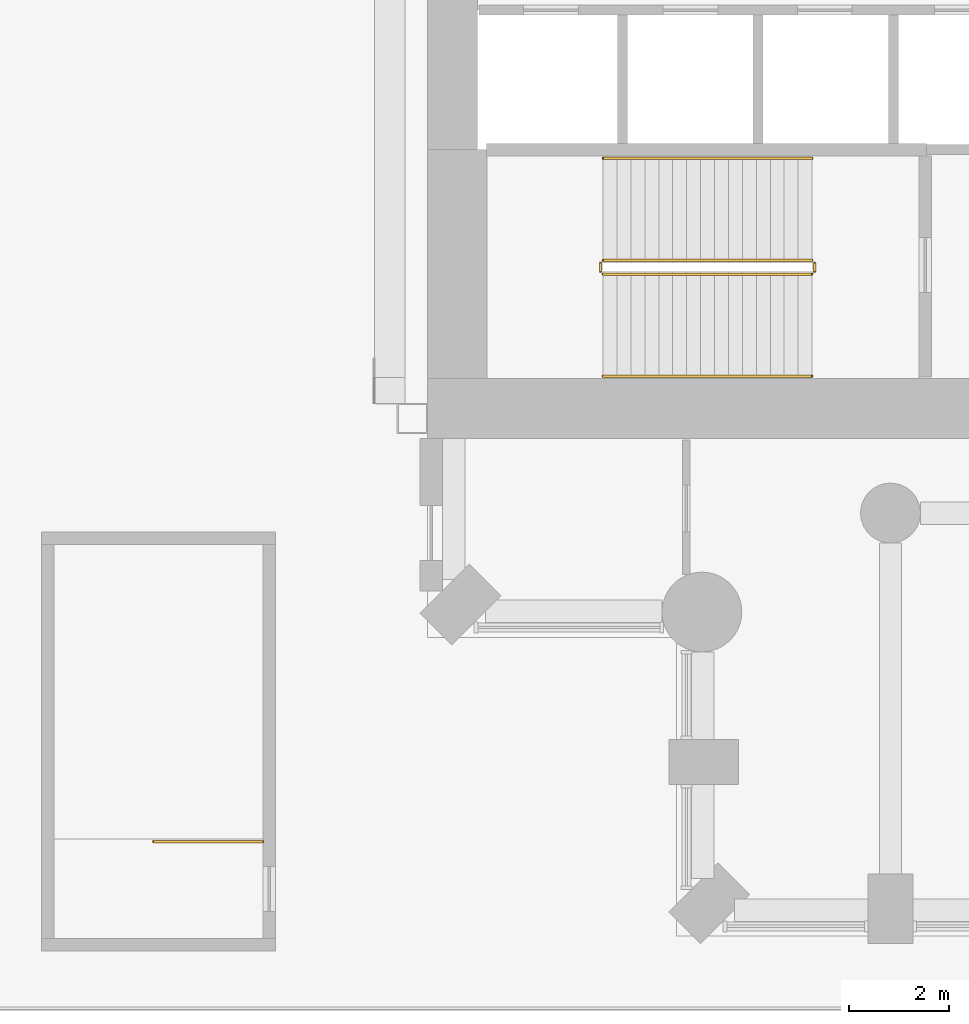
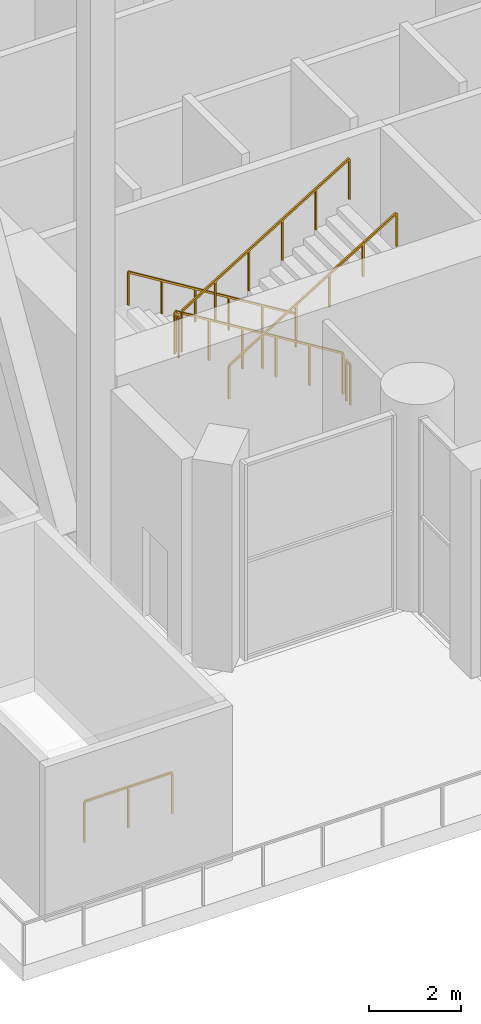
# One storey, part 21 of 26: 7 railings.
"""IFC4 building model written with IfcOpenShell, lengths in metres."""

from ifc_helpers import new_model, si_unit, direction, frame, origin, origin_2d, place, context, subcontext, project, spatial, rectangle, extrude, material, type_object, element, save


model = new_model("IFC4")

# Units and contexts
model_context = context("Model", 3, precision=1e-05, world=origin(), true_north=direction((0.0, 1.0)))
body_context = subcontext(model_context, "Body", "Model", "MODEL_VIEW")
ifc_project = project(units=[si_unit("LENGTHUNIT", "METRE"), si_unit("AREAUNIT", "SQUARE_METRE"), si_unit("VOLUMEUNIT", "CUBIC_METRE"), si_unit("PLANEANGLEUNIT", "RADIAN"), si_unit("MASSUNIT", "GRAM", prefix="KILO")], contexts=[model_context])

# Site, building, storey
site_placement = place(None, origin())
site = spatial("IfcSite", under=ifc_project, at=site_placement, CompositionType="ELEMENT")
building_placement = place(site_placement, origin())
building = spatial("IfcBuilding", under=site, at=building_placement, Name="Cypress Arch Tower", CompositionType="ELEMENT")
storey_placement = place(building_placement, frame((0.0, 0.0, 50.0)))
storey = spatial("IfcBuildingStorey", under=building, at=storey_placement, Name="L06", CompositionType="ELEMENT", Elevation=50.0)

# Railings
ifc_material_1 = material(Name="Black powder-coated steel square bar 48 mm", Category="steel")
railing_type_1 = type_object("IfcRailingType", Name="Stair handrail HR1", PredefinedType="HANDRAIL", material=ifc_material_1)
railing_1_placement = place(storey_placement, frame((-22.27490234375, -10.375, 0.171875)))
element("IfcRailing", 1, at=railing_1_placement, inside=storey, type_object=railing_type_1, Name="L06 A stair handrail 1", PredefinedType="HANDRAIL", context=body_context, shape_type="SweptSolid", body=[
    extrude(rectangle(XDim=0.048095703125, YDim=0.048095703125, at=origin_2d()), frame((0.0, 0.0, 0.8759765625), z_axis=(-0.852256472501, 0.0, 0.523124177495), x_axis=(0.0, -1.0, 0.0)), (0.0, 0.0, 1.0), 4.92822265625),
    extrude(rectangle(XDim=0.0419921875, YDim=0.0419921875, at=origin_2d()), origin(), (0.0, 0.0, 1.0), 0.851806640625),
    extrude(rectangle(XDim=0.0419921875, YDim=0.0419921875, at=origin_2d()), frame((-0.840087890625, 0.0, 0.515625)), (0.0, 0.0, 1.0), 0.851806640625),
    extrude(rectangle(XDim=0.0419921875, YDim=0.0419921875, at=origin_2d()), frame((-1.68017578125, 0.0, 1.03125)), (0.0, 0.0, 1.0), 0.851806640625),
    extrude(rectangle(XDim=0.0419921875, YDim=0.0419921875, at=origin_2d()), frame((-2.52001953125, 0.0, 1.546875)), (0.0, 0.0, 1.0), 0.851806640625),
    extrude(rectangle(XDim=0.0419921875, YDim=0.0419921875, at=origin_2d()), frame((-3.360107421875, 0.0, 2.0625)), (0.0, 0.0, 1.0), 0.851806640625),
    extrude(rectangle(XDim=0.0419921875, YDim=0.0419921875, at=origin_2d()), frame((-4.2001953125, 0.0, 2.578125)), (0.0, 0.0, 1.0), 0.851806640625),
])
railing_2_placement = place(storey_placement, frame((-26.47509765625, -14.75, 2.921875)))
element("IfcRailing", 2, at=railing_2_placement, inside=storey, type_object=railing_type_1, Name="L06 A stair handrail 2", PredefinedType="HANDRAIL", context=body_context, shape_type="SweptSolid", body=[
    extrude(rectangle(XDim=0.048095703125, YDim=0.048095703125, at=origin_2d()), frame((0.0, 0.0, 0.8759765625), z_axis=(0.852256472501, 0.0, 0.523124177495), x_axis=(0.0, 1.0, 0.0)), (0.0, 0.0, 1.0), 4.92822265625),
    extrude(rectangle(XDim=0.0419921875, YDim=0.0419921875, at=origin_2d()), origin(), (0.0, 0.0, 1.0), 0.851806640625),
    extrude(rectangle(XDim=0.0419921875, YDim=0.0419921875, at=origin_2d()), frame((0.840087890625, 0.0, 0.515625)), (0.0, 0.0, 1.0), 0.851806640625),
    extrude(rectangle(XDim=0.0419921875, YDim=0.0419921875, at=origin_2d()), frame((1.68017578125, 0.0, 1.03125)), (0.0, 0.0, 1.0), 0.851806640625),
    extrude(rectangle(XDim=0.0419921875, YDim=0.0419921875, at=origin_2d()), frame((2.52001953125, 0.0, 1.546875)), (0.0, 0.0, 1.0), 0.851806640625),
    extrude(rectangle(XDim=0.0419921875, YDim=0.0419921875, at=origin_2d()), frame((3.360107421875, 0.0, 2.0625)), (0.0, 0.0, 1.0), 0.851806640625),
    extrude(rectangle(XDim=0.0419921875, YDim=0.0419921875, at=origin_2d()), frame((4.2001953125, 0.0, 2.578125)), (0.0, 0.0, 1.0), 0.851806640625),
])
ifc_material_2 = material(Name="Black powder-coated steel balusters", Category="steel")
railing_type_2 = type_object("IfcRailingType", Name="Stair well guard G1", PredefinedType="GUARDRAIL", material=ifc_material_2)
railing_3_placement = place(storey_placement, frame((-22.27490234375, -12.425048828125, 0.171875)))
element("IfcRailing", 3, at=railing_3_placement, inside=storey, type_object=railing_type_2, Name="L06 A stair guard 1", PredefinedType="GUARDRAIL", context=body_context, shape_type="SweptSolid", body=[
    extrude(rectangle(XDim=0.048095703125, YDim=0.048095703125, at=origin_2d()), frame((0.0, 0.0, 1.076171875), z_axis=(-0.852256472501, 0.0, 0.523124177495), x_axis=(0.0, -1.0, 0.0)), (0.0, 0.0, 1.0), 4.92822265625),
    extrude(rectangle(XDim=0.0419921875, YDim=0.0419921875, at=origin_2d()), origin(), (0.0, 0.0, 1.0), 1.052001953125),
    extrude(rectangle(XDim=0.0419921875, YDim=0.0419921875, at=origin_2d()), frame((-0.840087890625, 0.0, 0.515625)), (0.0, 0.0, 1.0), 1.052001953125),
    extrude(rectangle(XDim=0.0419921875, YDim=0.0419921875, at=origin_2d()), frame((-1.68017578125, 0.0, 1.03125)), (0.0, 0.0, 1.0), 1.052001953125),
    extrude(rectangle(XDim=0.0419921875, YDim=0.0419921875, at=origin_2d()), frame((-2.52001953125, 0.0, 1.546875)), (0.0, 0.0, 1.0), 1.052001953125),
    extrude(rectangle(XDim=0.0419921875, YDim=0.0419921875, at=origin_2d()), frame((-3.360107421875, 0.0, 2.0625)), (0.0, 0.0, 1.0), 1.052001953125),
    extrude(rectangle(XDim=0.0419921875, YDim=0.0419921875, at=origin_2d()), frame((-4.2001953125, 0.0, 2.578125)), (0.0, 0.0, 1.0), 1.052001953125),
])
railing_4_placement = place(storey_placement, frame((-26.52490234375, -12.47509765625, 2.75)))
element("IfcRailing", 4, at=railing_4_placement, inside=storey, type_object=railing_type_2, Name="L06 A stair guard 2", PredefinedType="GUARDRAIL", context=body_context, shape_type="SweptSolid", body=[
    extrude(rectangle(XDim=0.048095703125, YDim=0.048095703125, at=origin_2d()), frame((0.0, 0.0, 1.076171875), z_axis=(0.0, -1.0, 0.0), x_axis=(1.0, 0.0, 0.0)), (0.0, 0.0, 1.0), 0.1748046875),
    extrude(rectangle(XDim=0.0419921875, YDim=0.0419921875, at=origin_2d()), origin(), (0.0, 0.0, 1.0), 1.052001953125),
    extrude(rectangle(XDim=0.0419921875, YDim=0.0419921875, at=origin_2d()), frame((0.0, -0.1748046875, 0.0)), (0.0, 0.0, 1.0), 1.052001953125),
])
railing_5_placement = place(storey_placement, frame((-26.47509765625, -12.699951171875, 2.921875)))
element("IfcRailing", 5, at=railing_5_placement, inside=storey, type_object=railing_type_2, Name="L06 A stair guard 3", PredefinedType="GUARDRAIL", context=body_context, shape_type="SweptSolid", body=[
    extrude(rectangle(XDim=0.048095703125, YDim=0.048095703125, at=origin_2d()), frame((0.0, 0.0, 1.076171875), z_axis=(0.852256472501, 0.0, 0.523124177495), x_axis=(0.0, 1.0, 0.0)), (0.0, 0.0, 1.0), 4.92822265625),
    extrude(rectangle(XDim=0.0419921875, YDim=0.0419921875, at=origin_2d()), origin(), (0.0, 0.0, 1.0), 1.052001953125),
    extrude(rectangle(XDim=0.0419921875, YDim=0.0419921875, at=origin_2d()), frame((0.840087890625, 0.0, 0.515625)), (0.0, 0.0, 1.0), 1.052001953125),
    extrude(rectangle(XDim=0.0419921875, YDim=0.0419921875, at=origin_2d()), frame((1.68017578125, 0.0, 1.03125)), (0.0, 0.0, 1.0), 1.052001953125),
    extrude(rectangle(XDim=0.0419921875, YDim=0.0419921875, at=origin_2d()), frame((2.52001953125, 0.0, 1.546875)), (0.0, 0.0, 1.0), 1.052001953125),
    extrude(rectangle(XDim=0.0419921875, YDim=0.0419921875, at=origin_2d()), frame((3.360107421875, 0.0, 2.0625)), (0.0, 0.0, 1.0), 1.052001953125),
    extrude(rectangle(XDim=0.0419921875, YDim=0.0419921875, at=origin_2d()), frame((4.2001953125, 0.0, 2.578125)), (0.0, 0.0, 1.0), 1.052001953125),
])
railing_6_placement = place(storey_placement, frame((-22.22509765625, -12.47509765625, 0.0)))
element("IfcRailing", 6, at=railing_6_placement, inside=storey, type_object=railing_type_2, Name="L06 A stair guard 4", PredefinedType="GUARDRAIL", context=body_context, shape_type="SweptSolid", body=[
    extrude(rectangle(XDim=0.048095703125, YDim=0.048095703125, at=origin_2d()), frame((0.0, 0.0, 1.076171875), z_axis=(0.0, -1.0, 0.0), x_axis=(1.0, 0.0, 0.0)), (0.0, 0.0, 1.0), 0.1748046875),
    extrude(rectangle(XDim=0.0419921875, YDim=0.0419921875, at=origin_2d()), origin(), (0.0, 0.0, 1.0), 1.052001953125),
    extrude(rectangle(XDim=0.0419921875, YDim=0.0419921875, at=origin_2d()), frame((0.0, -0.1748046875, 0.0)), (0.0, 0.0, 1.0), 1.052001953125),
])
railing_7_placement = place(storey_placement, frame((-33.300048828125, -24.10009765625, 0.0)))
element("IfcRailing", 7, at=railing_7_placement, inside=storey, type_object=railing_type_2, Name="L06 P1 top well guard 1", PredefinedType="GUARDRAIL", context=body_context, shape_type="SweptSolid", body=[
    extrude(rectangle(XDim=0.048095703125, YDim=0.048095703125, at=origin_2d()), frame((0.0, 0.0, 1.076171875), z_axis=(-1.0, 0.0, 0.0), x_axis=(0.0, -1.0, 0.0)), (0.0, 0.0, 1.0), 2.199951171875),
    extrude(rectangle(XDim=0.0419921875, YDim=0.0419921875, at=origin_2d()), origin(), (0.0, 0.0, 1.0), 1.052001953125),
    extrude(rectangle(XDim=0.0419921875, YDim=0.0419921875, at=origin_2d()), frame((-1.10009765625, 0.0, 0.0)), (0.0, 0.0, 1.0), 1.052001953125),
    extrude(rectangle(XDim=0.0419921875, YDim=0.0419921875, at=origin_2d()), frame((-2.199951171875, 0.0, 0.0)), (0.0, 0.0, 1.0), 1.052001953125),
])

save(model, "model.ifc")
